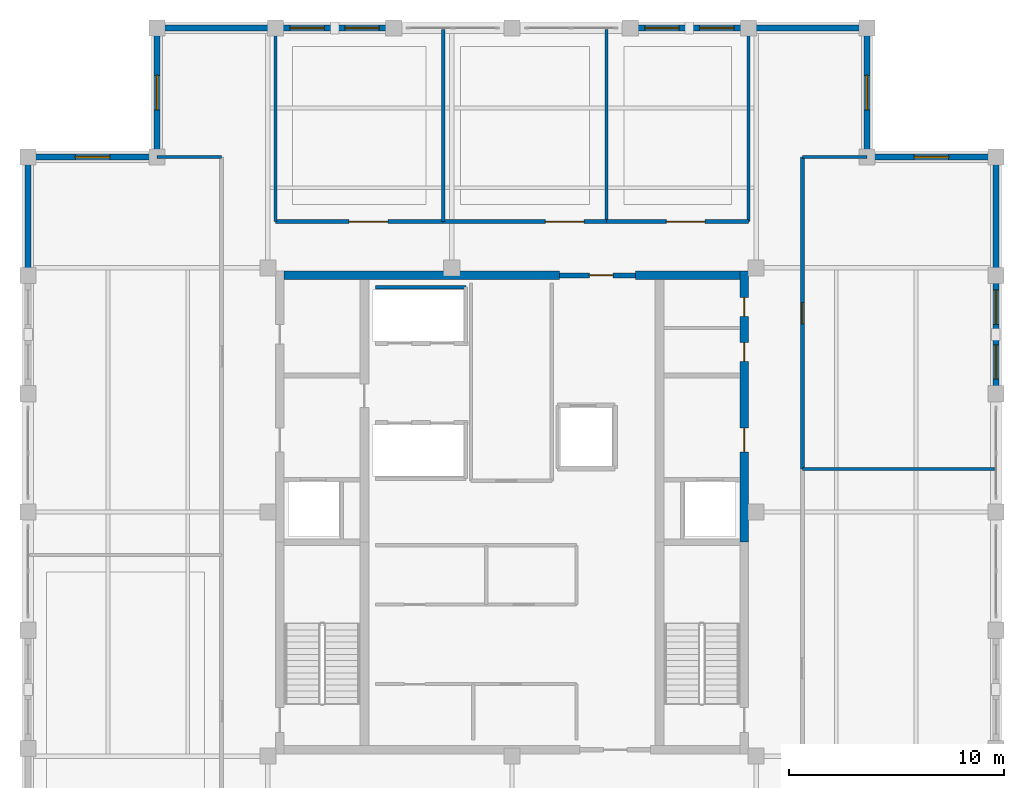
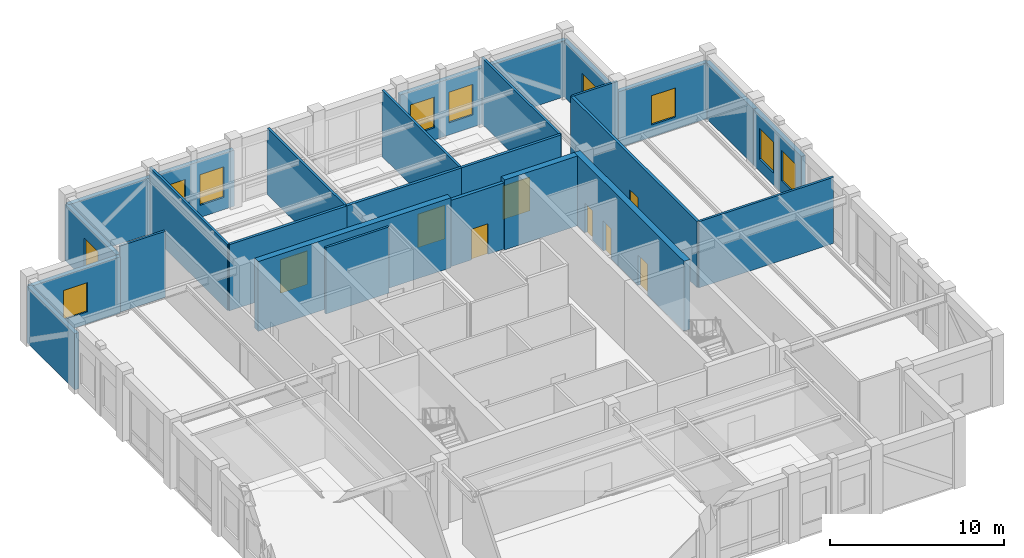
# One storey, part 9 of 13: 27 walls, 10 windows, 8 doors, 18 openings.
"""IFC4 building model written with IfcOpenShell, lengths in metres."""

from ifc_helpers import new_model, si_unit, direction, frame, frame_2d, origin, place, context, subcontext, project, spatial, rectangle, extrude, material, layer, layer_set, type_object, element, fill, save


model = new_model("IFC4")

# Units and contexts
model_context = context("Model", 3, precision=1e-05, world=origin(), true_north=direction((0.0, 1.0)))
body_context = subcontext(model_context, "Body", "Model", "MODEL_VIEW")
ifc_project = project(units=[si_unit("LENGTHUNIT", "METRE"), si_unit("AREAUNIT", "SQUARE_METRE"), si_unit("VOLUMEUNIT", "CUBIC_METRE"), si_unit("PLANEANGLEUNIT", "RADIAN"), si_unit("MASSUNIT", "GRAM", prefix="KILO")], contexts=[model_context])

# Site, building, storey
site_placement = place(None, origin())
site = spatial("IfcSite", under=ifc_project, at=site_placement, CompositionType="ELEMENT")
building_placement = place(site_placement, origin())
building = spatial("IfcBuilding", under=site, at=building_placement, Name="Nhamokura Convention Tower", CompositionType="ELEMENT")
storey_placement = place(building_placement, frame((0.0, 0.0, 308.35009765625)))
storey = spatial("IfcBuildingStorey", under=building, at=storey_placement, Name="L76", CompositionType="ELEMENT", Elevation=308.35009765625)

# Wall
ifc_material_1 = material(Name="Bronze-pigmented precast concrete C45/55", Category="concrete")
ifc_layer_1 = layer(ifc_material_1, 0.280029296875)
ifc_layer_set_1 = layer_set([ifc_layer_1], Name="BronzePrecastSpandrel_280")
wall_type_1 = type_object("IfcWallType", Name="BronzePrecastSpandrel_280", PredefinedType="USERDEFINED", material=ifc_layer_set_1)
wall_1_placement = place(storey_placement, frame((15.5, 54.5, 0.0), z_axis=(0.0, 0.0, 1.0), x_axis=(1.0, 0.0, 0.0)))
element("IfcWall", 1, at=wall_1_placement, inside=storey, type_object=wall_type_1, Name="L76 Braced-Bay Precast Wall NORTH 0", ObjectType="SPANDREL_WALL", PredefinedType="USERDEFINED", context=body_context, shape_type="SweptSolid", body=[
    extrude(rectangle(XDim=5.5, YDim=0.280029296875, at=frame_2d((2.75, 0.0))), origin(), (0.0, 0.0, 1.0), 3.93994140625),
])

# Wall, openings, windows
wall_2_placement = place(storey_placement, frame((21.0, 54.5, 0.0), z_axis=(0.0, 0.0, 1.0), x_axis=(1.0, 0.0, 0.0)))
wall_2 = element("IfcWall", 2, at=wall_2_placement, inside=storey, type_object=wall_type_1, Name="L76 Masonry-Frame Wall NORTH 1", ObjectType="SPANDREL_WALL", PredefinedType="USERDEFINED", context=body_context, shape_type="SweptSolid", body=[
    extrude(rectangle(XDim=5.5, YDim=0.280029296875, at=frame_2d((2.75, 0.0))), origin(), (0.0, 0.0, 1.0), 3.93994140625),
])
opening_1_placement = place(wall_2_placement, frame((0.675048828125, 0.0, 0.85009765625)))
opening_1 = element("IfcOpeningElement", 3, at=opening_1_placement, cuts=wall_2, Name="Opening W-11", PredefinedType="OPENING", context=body_context, shape_type="SweptSolid", body=[
    extrude(rectangle(XDim=1.60009765625, YDim=2.14990234375, at=frame_2d((0.800048828125, 1.074951171875))), frame((0.0, 0.14990234375, 0.0), z_axis=(0.0, -1.0, 0.0), x_axis=(1.0, 0.0, 0.0)), (0.0, 0.0, 1.0), 0.300048828125),
])
opening_2_placement = place(wall_2_placement, frame((3.22509765625, 0.0, 0.85009765625)))
opening_2 = element("IfcOpeningElement", 4, at=opening_2_placement, cuts=wall_2, Name="Opening W-11", PredefinedType="OPENING", context=body_context, shape_type="SweptSolid", body=[
    extrude(rectangle(XDim=1.60009765625, YDim=2.14990234375, at=frame_2d((0.800048828125, 1.074951171875))), frame((0.0, 0.14990234375, 0.0), z_axis=(0.0, -1.0, 0.0), x_axis=(1.0, 0.0, 0.0)), (0.0, 0.0, 1.0), 0.300048828125),
])
ifc_material_2 = material(Name="Solar-control bronze low-E double glass", Category="glass")
window_type = type_object("IfcWindowType", Name="NotchCornerWindow_1600", PartitioningType="SINGLE_PANEL", PredefinedType="WINDOW", material=ifc_material_2)
window_1_placement = place(opening_1_placement, origin())
window_1 = element("IfcWindow", 5, at=window_1_placement, inside=storey, type_object=window_type, Name="L76 Facade Window NORTH 1-1", OverallHeight=2.14990234375, OverallWidth=1.60009765625, PartitioningType="SINGLE_PANEL", PredefinedType="WINDOW", context=body_context, shape_type="SweptSolid", body=[
    extrude(rectangle(XDim=1.60009765625, YDim=2.14990234375, at=frame_2d((0.800048828125, 1.074951171875))), frame((0.0, 0.030029296875, 0.0), z_axis=(0.0, -1.0, 0.0), x_axis=(1.0, 0.0, 0.0)), (0.0, 0.0, 1.0), 0.06005859375),
])
fill(opening_1, window_1)
window_2_placement = place(opening_2_placement, origin())
window_2 = element("IfcWindow", 6, at=window_2_placement, inside=storey, type_object=window_type, Name="L76 Facade Window NORTH 1-2", OverallHeight=2.14990234375, OverallWidth=1.60009765625, PartitioningType="SINGLE_PANEL", PredefinedType="WINDOW", context=body_context, shape_type="SweptSolid", body=[
    extrude(rectangle(XDim=1.60009765625, YDim=2.14990234375, at=frame_2d((0.800048828125, 1.074951171875))), frame((0.0, 0.030029296875, 0.0), z_axis=(0.0, -1.0, 0.0), x_axis=(1.0, 0.0, 0.0)), (0.0, 0.0, 1.0), 0.06005859375),
])
fill(opening_2, window_2)

wall_3_placement = place(storey_placement, frame((37.5, 54.5, 0.0), z_axis=(0.0, 0.0, 1.0), x_axis=(1.0, 0.0, 0.0)))
wall_3 = element("IfcWall", 7, at=wall_3_placement, inside=storey, type_object=wall_type_1, Name="L76 Masonry-Frame Wall NORTH 4", ObjectType="SPANDREL_WALL", PredefinedType="USERDEFINED", context=body_context, shape_type="SweptSolid", body=[
    extrude(rectangle(XDim=5.5, YDim=0.280029296875, at=frame_2d((2.75, 0.0))), origin(), (0.0, 0.0, 1.0), 3.93994140625),
])
opening_3_placement = place(wall_3_placement, frame((0.675048828125, 0.0, 0.85009765625)))
opening_3 = element("IfcOpeningElement", 8, at=opening_3_placement, cuts=wall_3, Name="Opening W-11", PredefinedType="OPENING", context=body_context, shape_type="SweptSolid", body=[
    extrude(rectangle(XDim=1.60009765625, YDim=2.14990234375, at=frame_2d((0.800048828125, 1.074951171875))), frame((0.0, 0.14990234375, 0.0), z_axis=(0.0, -1.0, 0.0), x_axis=(1.0, 0.0, 0.0)), (0.0, 0.0, 1.0), 0.300048828125),
])
opening_4_placement = place(wall_3_placement, frame((3.22509765625, 0.0, 0.85009765625)))
opening_4 = element("IfcOpeningElement", 9, at=opening_4_placement, cuts=wall_3, Name="Opening W-11", PredefinedType="OPENING", context=body_context, shape_type="SweptSolid", body=[
    extrude(rectangle(XDim=1.60009765625, YDim=2.14990234375, at=frame_2d((0.800048828125, 1.074951171875))), frame((0.0, 0.14990234375, 0.0), z_axis=(0.0, -1.0, 0.0), x_axis=(1.0, 0.0, 0.0)), (0.0, 0.0, 1.0), 0.300048828125),
])
window_3_placement = place(opening_3_placement, origin())
window_3 = element("IfcWindow", 10, at=window_3_placement, inside=storey, type_object=window_type, Name="L76 Facade Window NORTH 4-1", OverallHeight=2.14990234375, OverallWidth=1.60009765625, PartitioningType="SINGLE_PANEL", PredefinedType="WINDOW", context=body_context, shape_type="SweptSolid", body=[
    extrude(rectangle(XDim=1.60009765625, YDim=2.14990234375, at=frame_2d((0.800048828125, 1.074951171875))), frame((0.0, 0.030029296875, 0.0), z_axis=(0.0, -1.0, 0.0), x_axis=(1.0, 0.0, 0.0)), (0.0, 0.0, 1.0), 0.06005859375),
])
fill(opening_3, window_3)
window_4_placement = place(opening_4_placement, origin())
window_4 = element("IfcWindow", 11, at=window_4_placement, inside=storey, type_object=window_type, Name="L76 Facade Window NORTH 4-2", OverallHeight=2.14990234375, OverallWidth=1.60009765625, PartitioningType="SINGLE_PANEL", PredefinedType="WINDOW", context=body_context, shape_type="SweptSolid", body=[
    extrude(rectangle(XDim=1.60009765625, YDim=2.14990234375, at=frame_2d((0.800048828125, 1.074951171875))), frame((0.0, 0.030029296875, 0.0), z_axis=(0.0, -1.0, 0.0), x_axis=(1.0, 0.0, 0.0)), (0.0, 0.0, 1.0), 0.06005859375),
])
fill(opening_4, window_4)

# Walls
for number, where, z_axis, x_axis, name in (
    (12, (43.0, 54.5, 0.0), (0.0, 0.0, 1.0), (1.0, 0.0, 0.0), "L76 Braced-Bay Precast Wall NORTH 5"),
    (13, (9.5, 43.0, 0.0), (0.0, 0.0, 1.0), (0.0, 1.0, 0.0), "L76 Braced-Bay Precast Wall WEST 5"),
):
    element("IfcWall", number, at=place(storey_placement, frame(where, z_axis=z_axis, x_axis=x_axis)), inside=storey, type_object=wall_type_1, Name=name, ObjectType="SPANDREL_WALL", PredefinedType="USERDEFINED", context=body_context, shape_type="SweptSolid", body=[
        extrude(rectangle(XDim=5.5, YDim=0.280029296875, at=frame_2d((2.75, 0.0))), origin(), (0.0, 0.0, 1.0), 3.93994140625),
    ])

# Wall, openings, windows
wall_4_placement = place(storey_placement, frame((54.5, 43.0, 0.0), z_axis=(0.0, 0.0, 1.0), x_axis=(0.0, -1.0, 0.0)))
wall_4 = element("IfcWall", 14, at=wall_4_placement, inside=storey, type_object=wall_type_1, Name="L76 Masonry-Frame Wall EAST 4", ObjectType="SPANDREL_WALL", PredefinedType="USERDEFINED", context=body_context, shape_type="SweptSolid", body=[
    extrude(rectangle(XDim=5.5, YDim=0.280029296875, at=frame_2d((2.75, 0.0))), origin(), (0.0, 0.0, 1.0), 3.93994140625),
])
opening_5_placement = place(wall_4_placement, frame((0.675048828125, 0.0, 0.85009765625)))
opening_5 = element("IfcOpeningElement", 15, at=opening_5_placement, cuts=wall_4, Name="Opening W-11", PredefinedType="OPENING", context=body_context, shape_type="SweptSolid", body=[
    extrude(rectangle(XDim=1.60009765625, YDim=2.14990234375, at=frame_2d((0.800048828125, 1.074951171875))), frame((0.0, 0.14990234375, 0.0), z_axis=(0.0, -1.0, 0.0), x_axis=(1.0, 0.0, 0.0)), (0.0, 0.0, 1.0), 0.300048828125),
])
opening_6_placement = place(wall_4_placement, frame((3.22509765625, 0.0, 0.85009765625)))
opening_6 = element("IfcOpeningElement", 16, at=opening_6_placement, cuts=wall_4, Name="Opening W-11", PredefinedType="OPENING", context=body_context, shape_type="SweptSolid", body=[
    extrude(rectangle(XDim=1.60009765625, YDim=2.14990234375, at=frame_2d((0.800048828125, 1.074951171875))), frame((0.0, 0.14990234375, 0.0), z_axis=(0.0, -1.0, 0.0), x_axis=(1.0, 0.0, 0.0)), (0.0, 0.0, 1.0), 0.300048828125),
])
window_5_placement = place(opening_5_placement, origin())
window_5 = element("IfcWindow", 17, at=window_5_placement, inside=storey, type_object=window_type, Name="L76 Facade Window EAST 4-1", OverallHeight=2.14990234375, OverallWidth=1.60009765625, PartitioningType="SINGLE_PANEL", PredefinedType="WINDOW", context=body_context, shape_type="SweptSolid", body=[
    extrude(rectangle(XDim=1.60009765625, YDim=2.14990234375, at=frame_2d((0.800048828125, 1.074951171875))), frame((0.0, 0.030029296875, 0.0), z_axis=(0.0, -1.0, 0.0), x_axis=(1.0, 0.0, 0.0)), (0.0, 0.0, 1.0), 0.06005859375),
])
fill(opening_5, window_5)
window_6_placement = place(opening_6_placement, origin())
window_6 = element("IfcWindow", 18, at=window_6_placement, inside=storey, type_object=window_type, Name="L76 Facade Window EAST 4-2", OverallHeight=2.14990234375, OverallWidth=1.60009765625, PartitioningType="SINGLE_PANEL", PredefinedType="WINDOW", context=body_context, shape_type="SweptSolid", body=[
    extrude(rectangle(XDim=1.60009765625, YDim=2.14990234375, at=frame_2d((0.800048828125, 1.074951171875))), frame((0.0, 0.030029296875, 0.0), z_axis=(0.0, -1.0, 0.0), x_axis=(1.0, 0.0, 0.0)), (0.0, 0.0, 1.0), 0.06005859375),
])
fill(opening_6, window_6)

# Wall
wall_5_placement = place(storey_placement, frame((54.5, 48.5, 0.0), z_axis=(0.0, 0.0, 1.0), x_axis=(0.0, -1.0, 0.0)))
element("IfcWall", 19, at=wall_5_placement, inside=storey, type_object=wall_type_1, Name="L76 Braced-Bay Precast Wall EAST 5", ObjectType="SPANDREL_WALL", PredefinedType="USERDEFINED", context=body_context, shape_type="SweptSolid", body=[
    extrude(rectangle(XDim=5.5, YDim=0.280029296875, at=frame_2d((2.75, 0.0))), origin(), (0.0, 0.0, 1.0), 3.93994140625),
])

# Wall, opening, window
wall_6_placement = place(storey_placement, frame((48.5, 48.5, 0.0), z_axis=(0.0, 0.0, 1.0), x_axis=(1.0, 0.0, 0.0)))
wall_6 = element("IfcWall", 20, at=wall_6_placement, inside=storey, type_object=wall_type_1, Name="L76 Notched Corner Wall NE1", ObjectType="SPANDREL_WALL", PredefinedType="USERDEFINED", context=body_context, shape_type="SweptSolid", body=[
    extrude(rectangle(XDim=6.0, YDim=0.280029296875, at=frame_2d((3.0, 0.0))), origin(), (0.0, 0.0, 1.0), 3.93994140625),
])
opening_7_placement = place(wall_6_placement, frame((2.199951171875, 0.0, 0.85009765625)))
opening_7 = element("IfcOpeningElement", 21, at=opening_7_placement, cuts=wall_6, Name="Opening W-11", PredefinedType="OPENING", context=body_context, shape_type="SweptSolid", body=[
    extrude(rectangle(XDim=1.60009765625, YDim=2.050048828125, at=frame_2d((0.800048828125, 1.02490234375))), frame((0.0, 0.14990234375, 0.0), z_axis=(0.0, -1.0, 0.0), x_axis=(1.0, 0.0, 0.0)), (0.0, 0.0, 1.0), 0.300048828125),
])
window_7_placement = place(opening_7_placement, origin())
window_7 = element("IfcWindow", 22, at=window_7_placement, inside=storey, type_object=window_type, Name="L76 Notched Corner Window NE1", OverallHeight=2.050048828125, OverallWidth=1.60009765625, PartitioningType="SINGLE_PANEL", PredefinedType="WINDOW", context=body_context, shape_type="SweptSolid", body=[
    extrude(rectangle(XDim=1.60009765625, YDim=2.050048828125, at=frame_2d((0.800048828125, 1.02490234375))), frame((0.0, 0.030029296875, 0.0), z_axis=(0.0, -1.0, 0.0), x_axis=(1.0, 0.0, 0.0)), (0.0, 0.0, 1.0), 0.06005859375),
])
fill(opening_7, window_7)

wall_7_placement = place(storey_placement, frame((48.5, 54.5, 0.0), z_axis=(0.0, 0.0, 1.0), x_axis=(0.0, -1.0, 0.0)))
wall_7 = element("IfcWall", 23, at=wall_7_placement, inside=storey, type_object=wall_type_1, Name="L76 Notched Corner Wall NE2", ObjectType="SPANDREL_WALL", PredefinedType="USERDEFINED", context=body_context, shape_type="SweptSolid", body=[
    extrude(rectangle(XDim=6.0, YDim=0.280029296875, at=frame_2d((3.0, 0.0))), origin(), (0.0, 0.0, 1.0), 3.93994140625),
])
opening_8_placement = place(wall_7_placement, frame((2.199951171875, 0.0, 0.85009765625)))
opening_8 = element("IfcOpeningElement", 24, at=opening_8_placement, cuts=wall_7, Name="Opening W-11", PredefinedType="OPENING", context=body_context, shape_type="SweptSolid", body=[
    extrude(rectangle(XDim=1.60009765625, YDim=2.050048828125, at=frame_2d((0.800048828125, 1.02490234375))), frame((0.0, 0.14990234375, 0.0), z_axis=(0.0, -1.0, 0.0), x_axis=(1.0, 0.0, 0.0)), (0.0, 0.0, 1.0), 0.300048828125),
])
window_8_placement = place(opening_8_placement, origin())
window_8 = element("IfcWindow", 25, at=window_8_placement, inside=storey, type_object=window_type, Name="L76 Notched Corner Window NE2", OverallHeight=2.050048828125, OverallWidth=1.60009765625, PartitioningType="SINGLE_PANEL", PredefinedType="WINDOW", context=body_context, shape_type="SweptSolid", body=[
    extrude(rectangle(XDim=1.60009765625, YDim=2.050048828125, at=frame_2d((0.800048828125, 1.02490234375))), frame((0.0, 0.030029296875, 0.0), z_axis=(0.0, -1.0, 0.0), x_axis=(1.0, 0.0, 0.0)), (0.0, 0.0, 1.0), 0.06005859375),
])
fill(opening_8, window_8)

wall_8_placement = place(storey_placement, frame((15.5, 48.5, 0.0), z_axis=(0.0, 0.0, 1.0), x_axis=(0.0, 1.0, 0.0)))
wall_8 = element("IfcWall", 26, at=wall_8_placement, inside=storey, type_object=wall_type_1, Name="L76 Notched Corner Wall NW1", ObjectType="SPANDREL_WALL", PredefinedType="USERDEFINED", context=body_context, shape_type="SweptSolid", body=[
    extrude(rectangle(XDim=6.0, YDim=0.280029296875, at=frame_2d((3.0, 0.0))), origin(), (0.0, 0.0, 1.0), 3.93994140625),
])
opening_9_placement = place(wall_8_placement, frame((2.199951171875, 0.0, 0.85009765625)))
opening_9 = element("IfcOpeningElement", 27, at=opening_9_placement, cuts=wall_8, Name="Opening W-11", PredefinedType="OPENING", context=body_context, shape_type="SweptSolid", body=[
    extrude(rectangle(XDim=1.60009765625, YDim=2.050048828125, at=frame_2d((0.800048828125, 1.02490234375))), frame((0.0, 0.14990234375, 0.0), z_axis=(0.0, -1.0, 0.0), x_axis=(1.0, 0.0, 0.0)), (0.0, 0.0, 1.0), 0.300048828125),
])
window_9_placement = place(opening_9_placement, origin())
window_9 = element("IfcWindow", 28, at=window_9_placement, inside=storey, type_object=window_type, Name="L76 Notched Corner Window NW1", OverallHeight=2.050048828125, OverallWidth=1.60009765625, PartitioningType="SINGLE_PANEL", PredefinedType="WINDOW", context=body_context, shape_type="SweptSolid", body=[
    extrude(rectangle(XDim=1.60009765625, YDim=2.050048828125, at=frame_2d((0.800048828125, 1.02490234375))), frame((0.0, 0.030029296875, 0.0), z_axis=(0.0, -1.0, 0.0), x_axis=(1.0, 0.0, 0.0)), (0.0, 0.0, 1.0), 0.06005859375),
])
fill(opening_9, window_9)

wall_9_placement = place(storey_placement, frame((9.5, 48.5, 0.0), z_axis=(0.0, 0.0, 1.0), x_axis=(1.0, 0.0, 0.0)))
wall_9 = element("IfcWall", 29, at=wall_9_placement, inside=storey, type_object=wall_type_1, Name="L76 Notched Corner Wall NW2", ObjectType="SPANDREL_WALL", PredefinedType="USERDEFINED", context=body_context, shape_type="SweptSolid", body=[
    extrude(rectangle(XDim=6.0, YDim=0.280029296875, at=frame_2d((3.0, 0.0))), origin(), (0.0, 0.0, 1.0), 3.93994140625),
])
opening_10_placement = place(wall_9_placement, frame((2.199951171875, 0.0, 0.85009765625)))
opening_10 = element("IfcOpeningElement", 30, at=opening_10_placement, cuts=wall_9, Name="Opening W-11", PredefinedType="OPENING", context=body_context, shape_type="SweptSolid", body=[
    extrude(rectangle(XDim=1.60009765625, YDim=2.050048828125, at=frame_2d((0.800048828125, 1.02490234375))), frame((0.0, 0.14990234375, 0.0), z_axis=(0.0, -1.0, 0.0), x_axis=(1.0, 0.0, 0.0)), (0.0, 0.0, 1.0), 0.300048828125),
])
window_10_placement = place(opening_10_placement, origin())
window_10 = element("IfcWindow", 31, at=window_10_placement, inside=storey, type_object=window_type, Name="L76 Notched Corner Window NW2", OverallHeight=2.050048828125, OverallWidth=1.60009765625, PartitioningType="SINGLE_PANEL", PredefinedType="WINDOW", context=body_context, shape_type="SweptSolid", body=[
    extrude(rectangle(XDim=1.60009765625, YDim=2.050048828125, at=frame_2d((0.800048828125, 1.02490234375))), frame((0.0, 0.030029296875, 0.0), z_axis=(0.0, -1.0, 0.0), x_axis=(1.0, 0.0, 0.0)), (0.0, 0.0, 1.0), 0.06005859375),
])
fill(opening_10, window_10)

# Wall, openings, doors
ifc_material_3 = material(Name="Concrete C50/60", Category="concrete")
ifc_layer_2 = layer(ifc_material_3, 0.39990234375)
ifc_layer_set_2 = layer_set([ifc_layer_2], Name="CoreShearWall_400")
wall_type_2 = type_object("IfcWallType", Name="CoreShearWall_400", PredefinedType="SHEAR", material=ifc_layer_set_2)
wall_10_placement = place(storey_placement, frame((42.7900390625, 30.60009765625, 0.0), z_axis=(0.0, 0.0, 1.0), x_axis=(0.0, 1.0, 0.0)))
wall_10 = element("IfcWall", 32, at=wall_10_placement, inside=storey, type_object=wall_type_2, Name="L76 Core Shear Wall CW-EN", PredefinedType="SHEAR", context=body_context, shape_type="SweptSolid", body=[
    extrude(rectangle(XDim=12.599853515625, YDim=0.39990234375, at=frame_2d((6.2998046875, 0.0))), origin(), (0.0, 0.0, 1.0), 4.89990234375),
])
opening_11_placement = place(wall_10_placement, frame((4.199951171875, 0.0, 0.0)))
opening_11 = element("IfcOpeningElement", 33, at=opening_11_placement, cuts=wall_10, Name="Opening D-05", PredefinedType="OPENING", context=body_context, shape_type="SweptSolid", body=[
    extrude(rectangle(XDim=1.10009765625, YDim=2.14990234375, at=frame_2d((0.550048828125, 1.074951171875))), frame((0.0, 0.2099609375, 0.0), z_axis=(0.0, -1.0, 0.0), x_axis=(1.0, 0.0, 0.0)), (0.0, 0.0, 1.0), 0.419921875),
])
opening_12_placement = place(wall_10_placement, frame((8.39990234375, 0.0, 0.0)))
opening_12 = element("IfcOpeningElement", 34, at=opening_12_placement, cuts=wall_10, Name="Opening D-11", PredefinedType="OPENING", context=body_context, shape_type="SweptSolid", body=[
    extrude(rectangle(XDim=0.8798828125, YDim=2.10009765625, at=frame_2d((0.43994140625, 1.050048828125))), frame((0.0, 0.2099609375, 0.0), z_axis=(0.0, -1.0, 0.0), x_axis=(1.0, 0.0, 0.0)), (0.0, 0.0, 1.0), 0.419921875),
])
opening_13_placement = place(wall_10_placement, frame((10.5, 0.0, 0.0)))
opening_13 = element("IfcOpeningElement", 35, at=opening_13_placement, cuts=wall_10, Name="Opening D-11", PredefinedType="OPENING", context=body_context, shape_type="SweptSolid", body=[
    extrude(rectangle(XDim=0.8798828125, YDim=2.10009765625, at=frame_2d((0.43994140625, 1.050048828125))), frame((0.0, 0.2099609375, 0.0), z_axis=(0.0, -1.0, 0.0), x_axis=(1.0, 0.0, 0.0)), (0.0, 0.0, 1.0), 0.419921875),
])
ifc_material_4 = material(Name="Solid oak hardwood", Category="wood")
door_type_1 = type_object("IfcDoorType", Name="BathroomDoor_880", OperationType="NOTDEFINED", PredefinedType="DOOR", material=ifc_material_4)
door_1_placement = place(opening_12_placement, origin())
door_1 = element("IfcDoor", 36, at=door_1_placement, inside=storey, type_object=door_type_1, Name="L76 Core Door INT-L76-D-MWC", OperationType="SINGLE_SWING_RIGHT", OverallHeight=2.10009765625, OverallWidth=0.8798828125, PredefinedType="DOOR", context=body_context, shape_type="SweptSolid", body=[
    extrude(rectangle(XDim=0.8798828125, YDim=2.10009765625, at=frame_2d((0.43994140625, 1.050048828125))), frame((0.0, 0.02490234375, 0.0), z_axis=(0.0, -1.0, 0.0), x_axis=(1.0, 0.0, 0.0)), (0.0, 0.0, 1.0), 0.050048828125),
])
fill(opening_12, door_1)
door_2_placement = place(opening_13_placement, origin())
door_2 = element("IfcDoor", 37, at=door_2_placement, inside=storey, type_object=door_type_1, Name="L76 Core Door INT-L76-D-FWC", OperationType="SINGLE_SWING_LEFT", OverallHeight=2.10009765625, OverallWidth=0.8798828125, PredefinedType="DOOR", context=body_context, shape_type="SweptSolid", body=[
    extrude(rectangle(XDim=0.8798828125, YDim=2.10009765625, at=frame_2d((0.43994140625, 1.050048828125))), frame((0.0, 0.02490234375, 0.0), z_axis=(0.0, -1.0, 0.0), x_axis=(1.0, 0.0, 0.0)), (0.0, 0.0, 1.0), 0.050048828125),
])
fill(opening_13, door_2)
ifc_material_5 = material(Name="Fire-rated steel door", Category="steel")
door_type_2 = type_object("IfcDoorType", Name="FireLobbyDoor_1100", OperationType="NOTDEFINED", PredefinedType="DOOR", material=ifc_material_5)
door_3_placement = place(opening_11_placement, origin())
door_3 = element("IfcDoor", 38, at=door_3_placement, inside=storey, type_object=door_type_2, Name="L76 Core Door INT-L76-D-FFLE", OperationType="SINGLE_SWING_LEFT", OverallHeight=2.14990234375, OverallWidth=1.10009765625, PredefinedType="DOOR", context=body_context, shape_type="SweptSolid", body=[
    extrude(rectangle(XDim=1.10009765625, YDim=2.14990234375, at=frame_2d((0.550048828125, 1.074951171875))), frame((0.0, 0.02490234375, 0.0), z_axis=(0.0, -1.0, 0.0), x_axis=(1.0, 0.0, 0.0)), (0.0, 0.0, 1.0), 0.050048828125),
])
fill(opening_11, door_3)

# Walls
wall_11_placement = place(storey_placement, frame((21.409912109375, 43.0, 0.0), z_axis=(0.0, 0.0, 1.0), x_axis=(1.0, 0.0, 0.0)))
element("IfcWall", 39, at=wall_11_placement, inside=storey, type_object=wall_type_2, Name="L76 Core Shear Wall CW-N1", PredefinedType="SHEAR", context=body_context, shape_type="SweptSolid", body=[
    extrude(rectangle(XDim=12.7900390625, YDim=0.39990234375, at=frame_2d((6.39501953125, 0.0))), origin(), (0.0, 0.0, 1.0), 4.89990234375),
])
wall_12_placement = place(storey_placement, frame((37.75, 43.0, 0.0), z_axis=(0.0, 0.0, 1.0), x_axis=(1.0, 0.0, 0.0)))
element("IfcWall", 40, at=wall_12_placement, inside=storey, type_object=wall_type_2, Name="L76 Core Shear Wall CW-N2", PredefinedType="SHEAR", context=body_context, shape_type="SweptSolid", body=[
    extrude(rectangle(XDim=4.840087890625, YDim=0.39990234375, at=frame_2d((2.419921875, 0.0))), origin(), (0.0, 0.0, 1.0), 4.89990234375),
])

# Wall, opening, door
ifc_material_6 = material(Name="Fire-rated gypsum and masonry partition", Category="masonry")
ifc_layer_3 = layer(ifc_material_6, 0.179931640625)
ifc_layer_set_3 = layer_set([ifc_layer_3], Name="CorridorRatedWall_180")
wall_type_3 = type_object("IfcWallType", Name="CorridorRatedWall_180", PredefinedType="STANDARD", material=ifc_layer_set_3)
wall_13_placement = place(storey_placement, frame((21.0, 45.5, 0.0), z_axis=(0.0, 0.0, 1.0), x_axis=(1.0, 0.0, 0.0)))
wall_13 = element("IfcWall", 41, at=wall_13_placement, inside=storey, type_object=wall_type_3, Name="L76 Wall INT-L76-CW-N00", PredefinedType="STANDARD", context=body_context, shape_type="SweptSolid", body=[
    extrude(rectangle(XDim=7.800048828125, YDim=0.179931640625, at=frame_2d((3.89990234375, 0.0))), origin(), (0.0, 0.0, 1.0), 4.639892578125),
])
opening_14_placement = place(wall_13_placement, frame((3.425048828125, 0.0, 0.0)))
opening_14 = element("IfcOpeningElement", 42, at=opening_14_placement, cuts=wall_13, Name="Opening D-03", PredefinedType="OPENING", context=body_context, shape_type="SweptSolid", body=[
    extrude(rectangle(XDim=1.800048828125, YDim=2.35009765625, at=frame_2d((0.89990234375, 1.175048828125))), frame((0.0, 0.099853515625, 0.0), z_axis=(0.0, -1.0, 0.0), x_axis=(1.0, 0.0, 0.0)), (0.0, 0.0, 1.0), 0.199951171875),
])
ifc_material_7 = material(Name="Solid oak hardwood", Category="wood")
door_type_3 = type_object("IfcDoorType", Name="BallroomDoubleDoor_1800", OperationType="DOUBLE_DOOR_SINGLE_SWING", PredefinedType="DOOR", material=ifc_material_7)
door_4_placement = place(opening_14_placement, origin())
door_4 = element("IfcDoor", 43, at=door_4_placement, inside=storey, type_object=door_type_3, Name="L76 Private Office N01 Door", OperationType="SINGLE_SWING_LEFT", OverallHeight=2.35009765625, OverallWidth=1.800048828125, PredefinedType="DOOR", context=body_context, shape_type="SweptSolid", body=[
    extrude(rectangle(XDim=1.800048828125, YDim=2.35009765625, at=frame_2d((0.89990234375, 1.175048828125))), frame((0.0, 0.02490234375, 0.0), z_axis=(0.0, -1.0, 0.0), x_axis=(1.0, 0.0, 0.0)), (0.0, 0.0, 1.0), 0.050048828125),
])
fill(opening_14, door_4)

wall_14_placement = place(storey_placement, frame((28.800048828125, 45.5, 0.0), z_axis=(0.0, 0.0, 1.0), x_axis=(1.0, 0.0, 0.0)))
wall_14 = element("IfcWall", 44, at=wall_14_placement, inside=storey, type_object=wall_type_3, Name="L76 Wall INT-L76-CW-N01", PredefinedType="STANDARD", context=body_context, shape_type="SweptSolid", body=[
    extrude(rectangle(XDim=7.599853515625, YDim=0.179931640625, at=frame_2d((3.7998046875, 0.0))), origin(), (0.0, 0.0, 1.0), 4.639892578125),
])
opening_15_placement = place(wall_14_placement, frame((4.75, 0.0, 0.0)))
opening_15 = element("IfcOpeningElement", 45, at=opening_15_placement, cuts=wall_14, Name="Opening D-03", PredefinedType="OPENING", context=body_context, shape_type="SweptSolid", body=[
    extrude(rectangle(XDim=1.800048828125, YDim=2.35009765625, at=frame_2d((0.89990234375, 1.175048828125))), frame((0.0, 0.099853515625, 0.0), z_axis=(0.0, -1.0, 0.0), x_axis=(1.0, 0.0, 0.0)), (0.0, 0.0, 1.0), 0.199951171875),
])
door_5_placement = place(opening_15_placement, origin())
door_5 = element("IfcDoor", 46, at=door_5_placement, inside=storey, type_object=door_type_3, Name="L76 Boardroom N02 Door", OperationType="SINGLE_SWING_RIGHT", OverallHeight=2.35009765625, OverallWidth=1.800048828125, PredefinedType="DOOR", context=body_context, shape_type="SweptSolid", body=[
    extrude(rectangle(XDim=1.800048828125, YDim=2.35009765625, at=frame_2d((0.89990234375, 1.175048828125))), frame((0.0, 0.02490234375, 0.0), z_axis=(0.0, -1.0, 0.0), x_axis=(1.0, 0.0, 0.0)), (0.0, 0.0, 1.0), 0.050048828125),
])
fill(opening_15, door_5)

wall_15_placement = place(storey_placement, frame((36.39990234375, 45.5, 0.0), z_axis=(0.0, 0.0, 1.0), x_axis=(1.0, 0.0, 0.0)))
wall_15 = element("IfcWall", 47, at=wall_15_placement, inside=storey, type_object=wall_type_3, Name="L76 Wall INT-L76-CW-N02", PredefinedType="STANDARD", context=body_context, shape_type="SweptSolid", body=[
    extrude(rectangle(XDim=6.60009765625, YDim=0.179931640625, at=frame_2d((3.300048828125, 0.0))), origin(), (0.0, 0.0, 1.0), 4.639892578125),
])
opening_16_placement = place(wall_15_placement, frame((2.77490234375, 0.0, 0.0)))
opening_16 = element("IfcOpeningElement", 48, at=opening_16_placement, cuts=wall_15, Name="Opening D-03", PredefinedType="OPENING", context=body_context, shape_type="SweptSolid", body=[
    extrude(rectangle(XDim=1.800048828125, YDim=2.35009765625, at=frame_2d((0.89990234375, 1.175048828125))), frame((0.0, 0.099853515625, 0.0), z_axis=(0.0, -1.0, 0.0), x_axis=(1.0, 0.0, 0.0)), (0.0, 0.0, 1.0), 0.199951171875),
])
door_6_placement = place(opening_16_placement, origin())
door_6 = element("IfcDoor", 49, at=door_6_placement, inside=storey, type_object=door_type_3, Name="L76 Kitchen N03 Door", OperationType="SINGLE_SWING_LEFT", OverallHeight=2.35009765625, OverallWidth=1.800048828125, PredefinedType="DOOR", context=body_context, shape_type="SweptSolid", body=[
    extrude(rectangle(XDim=1.800048828125, YDim=2.35009765625, at=frame_2d((0.89990234375, 1.175048828125))), frame((0.0, 0.02490234375, 0.0), z_axis=(0.0, -1.0, 0.0), x_axis=(1.0, 0.0, 0.0)), (0.0, 0.0, 1.0), 0.050048828125),
])
fill(opening_16, door_6)

wall_16_placement = place(storey_placement, frame((45.5, 34.0, 0.0), z_axis=(0.0, 0.0, 1.0), x_axis=(0.0, 1.0, 0.0)))
wall_16 = element("IfcWall", 50, at=wall_16_placement, inside=storey, type_object=wall_type_3, Name="L76 Wall INT-L76-CW-E01", PredefinedType="STANDARD", context=body_context, shape_type="SweptSolid", body=[
    extrude(rectangle(XDim=14.5, YDim=0.179931640625, at=frame_2d((7.25, 0.0))), origin(), (0.0, 0.0, 1.0), 4.639892578125),
])
opening_17_placement = place(wall_16_placement, frame((6.75, 0.0, 0.0)))
opening_17 = element("IfcOpeningElement", 51, at=opening_17_placement, cuts=wall_16, Name="Opening D-08", PredefinedType="OPENING", context=body_context, shape_type="SweptSolid", body=[
    extrude(rectangle(XDim=0.97998046875, YDim=2.199951171875, at=frame_2d((0.489990234375, 1.10009765625))), frame((0.0, 0.099853515625, 0.0), z_axis=(0.0, -1.0, 0.0), x_axis=(1.0, 0.0, 0.0)), (0.0, 0.0, 1.0), 0.199951171875),
])
ifc_material_8 = material(Name="Solid oak hardwood", Category="wood")
door_type_4 = type_object("IfcDoorType", Name="OfficeEntryDoor_980", OperationType="NOTDEFINED", PredefinedType="DOOR", material=ifc_material_8)
door_7_placement = place(opening_17_placement, origin())
door_7 = element("IfcDoor", 52, at=door_7_placement, inside=storey, type_object=door_type_4, Name="L76 Private Office E02 Door", OperationType="SINGLE_SWING_RIGHT", OverallHeight=2.199951171875, OverallWidth=0.97998046875, PredefinedType="DOOR", context=body_context, shape_type="SweptSolid", body=[
    extrude(rectangle(XDim=0.97998046875, YDim=2.199951171875, at=frame_2d((0.489990234375, 1.10009765625))), frame((0.0, 0.02490234375, 0.0), z_axis=(0.0, -1.0, 0.0), x_axis=(1.0, 0.0, 0.0)), (0.0, 0.0, 1.0), 0.050048828125),
])
fill(opening_17, door_7)

ifc_material_9 = material(Name="Autoclaved concrete blockwork", Category="masonry")
ifc_layer_4 = layer(ifc_material_9, 0.219970703125)
ifc_layer_set_4 = layer_set([ifc_layer_4], Name="FireLobbyWall_220")
wall_type_4 = type_object("IfcWallType", Name="FireLobbyWall_220", PredefinedType="STANDARD", material=ifc_layer_set_4)
wall_17_placement = place(storey_placement, frame((34.199951171875, 43.0, 0.0), z_axis=(0.0, 0.0, 1.0), x_axis=(1.0, 0.0, 0.0)))
wall_17 = element("IfcWall", 53, at=wall_17_placement, inside=storey, type_object=wall_type_4, Name="L76 Wall INT-L76-CPORT-N", PredefinedType="STANDARD", context=body_context, shape_type="SweptSolid", body=[
    extrude(rectangle(XDim=3.550048828125, YDim=0.219970703125, at=frame_2d((1.77490234375, 0.0))), origin(), (0.0, 0.0, 1.0), 4.639892578125),
])
opening_18_placement = place(wall_17_placement, frame((1.39990234375, 0.0, 0.0)))
opening_18 = element("IfcOpeningElement", 54, at=opening_18_placement, cuts=wall_17, Name="Opening D-05", PredefinedType="OPENING", context=body_context, shape_type="SweptSolid", body=[
    extrude(rectangle(XDim=1.10009765625, YDim=2.14990234375, at=frame_2d((0.550048828125, 1.074951171875))), frame((0.0, 0.119873046875, 0.0), z_axis=(0.0, -1.0, 0.0), x_axis=(1.0, 0.0, 0.0)), (0.0, 0.0, 1.0), 0.239990234375),
])
door_8_placement = place(opening_18_placement, origin())
door_8 = element("IfcDoor", 55, at=door_8_placement, inside=storey, type_object=door_type_2, Name="L76 North Core Lobby Portal Door", OperationType="SINGLE_SWING_RIGHT", OverallHeight=2.14990234375, OverallWidth=1.10009765625, PredefinedType="DOOR", context=body_context, shape_type="SweptSolid", body=[
    extrude(rectangle(XDim=1.10009765625, YDim=2.14990234375, at=frame_2d((0.550048828125, 1.074951171875))), frame((0.0, 0.02490234375, 0.0), z_axis=(0.0, -1.0, 0.0), x_axis=(1.0, 0.0, 0.0)), (0.0, 0.0, 1.0), 0.050048828125),
])
fill(opening_18, door_8)

# Walls
ifc_material_10 = material(Name="Acoustic gypsum stud partition", Category="masonry")
ifc_layer_5 = layer(ifc_material_10, 0.14990234375)
ifc_layer_set_5 = layer_set([ifc_layer_5], Name="InteriorPartition_150")
wall_type_5 = type_object("IfcWallType", Name="InteriorPartition_150", PredefinedType="STANDARD", material=ifc_layer_set_5)
wall_18_placement = place(storey_placement, frame((25.64990234375, 42.449951171875, 0.0), z_axis=(0.0, 0.0, 1.0), x_axis=(1.0, 0.0, 0.0)))
element("IfcWall", 56, at=wall_18_placement, inside=storey, type_object=wall_type_5, Name="L76 Wall INT-L76-B3B-N", PredefinedType="STANDARD", context=body_context, shape_type="SweptSolid", body=[
    extrude(rectangle(XDim=4.2001953125, YDim=0.14990234375, at=frame_2d((2.10009765625, 0.0))), origin(), (0.0, 0.0, 1.0), 4.639892578125),
])
for number, where, z_axis, x_axis, name in (
    (57, (21.0, 45.5, 0.0), (0.0, 0.0, 1.0), (0.0, 1.0, 0.0), "L76 Wall INT-L76-RWL-N"),
    (58, (43.0, 45.5, 0.0), (0.0, 0.0, 1.0), (0.0, 1.0, 0.0), "L76 Wall INT-L76-RWR-N"),
    (59, (28.800048828125, 45.5, 0.0), (0.0, 0.0, 1.0), (0.0, 1.0, 0.0), "L76 Wall INT-L76-RW-N01"),
    (60, (36.39990234375, 45.5, 0.0), (0.0, 0.0, 1.0), (0.0, 1.0, 0.0), "L76 Wall INT-L76-RW-N02"),
    (61, (45.5, 34.0, 0.0), (0.0, 0.0, 1.0), (1.0, 0.0, 0.0), "L76 Wall INT-L76-RW-E01"),
):
    element("IfcWall", number, at=place(storey_placement, frame(where, z_axis=z_axis, x_axis=x_axis)), inside=storey, type_object=wall_type_5, Name=name, PredefinedType="STANDARD", context=body_context, shape_type="SweptSolid", body=[
        extrude(rectangle(XDim=8.93994140625, YDim=0.14990234375, at=frame_2d((4.469970703125, 0.0))), origin(), (0.0, 0.0, 1.0), 4.639892578125),
    ])
for number, where, z_axis, x_axis, name in (
    (62, (15.5, 48.5, 0.0), (0.0, 0.0, 1.0), (1.0, 0.0, 0.0), "L76 Wall INT-L76-VSTP-WN"),
    (63, (45.5, 48.5, 0.0), (0.0, 0.0, 1.0), (1.0, 0.0, 0.0), "L76 Wall INT-L76-VSTP-EN"),
):
    element("IfcWall", number, at=place(storey_placement, frame(where, z_axis=z_axis, x_axis=x_axis)), inside=storey, type_object=wall_type_5, Name=name, PredefinedType="STANDARD", context=body_context, shape_type="SweptSolid", body=[
        extrude(rectangle(XDim=3.0, YDim=0.14990234375, at=frame_2d((1.5, 0.0))), origin(), (0.0, 0.0, 1.0), 4.639892578125),
    ])

save(model, "model.ifc")
